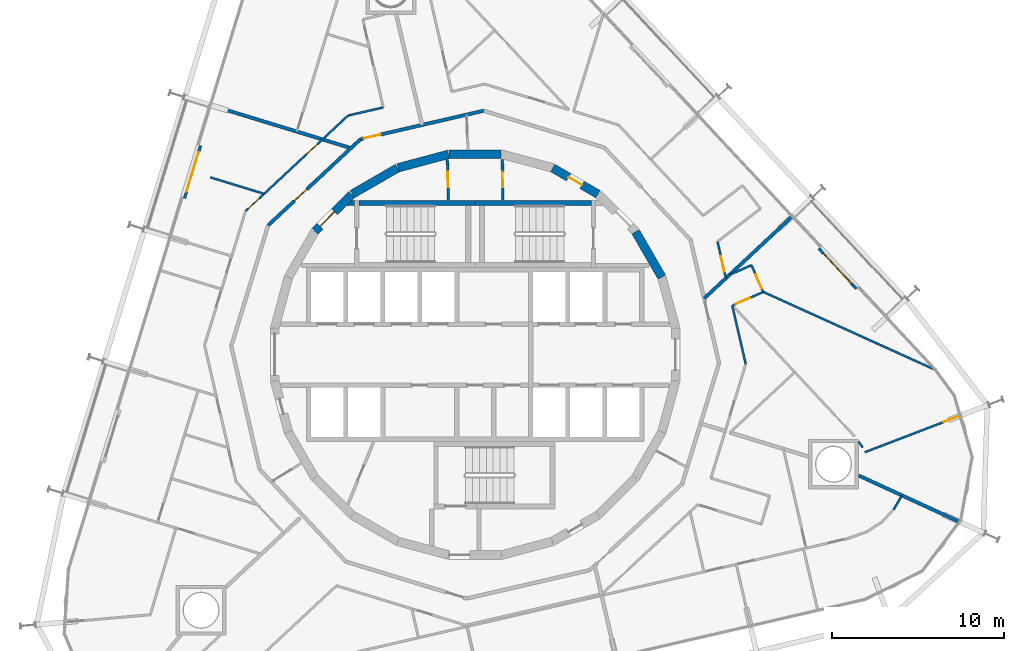
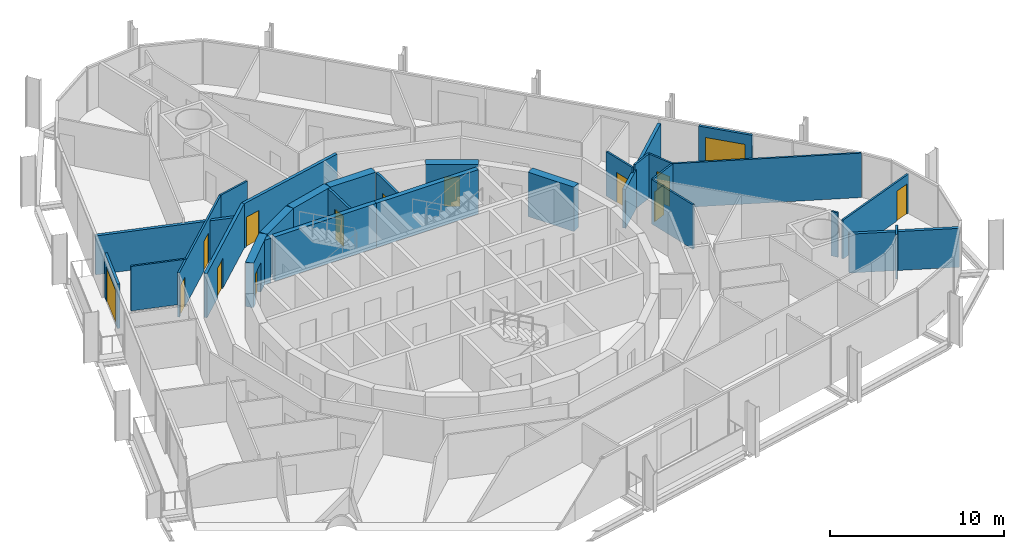
# One storey, part 15 of 18: 30 walls, 14 doors, 14 openings.
"""IFC4 building model written with IfcOpenShell, lengths in metres."""

import ifcopenshell
import ifcopenshell.guid

model = None  # the IFC model being written
_history = None  # IfcOwnerHistory: only IFC2X3 demands one
_inside = {}  # id of a spatial element -> (the spatial element, [elements in it])
_under = {}  # id of a project, library or spatial element -> (it, [spatial elements below it])
_declared = {}  # id of a project -> (the project, [libraries it declares])
_typed = {}  # id of a type object -> (the type object, [elements of that type])
_made_of = {}  # id of a material, layer set ... -> (it, [elements and type objects made of it])


def new_model(schema):
    """Start an empty IFC model of exactly this schema.

    Asked for "IFC4X3", IfcOpenShell would pick the latest addendum, in which some entities
    have other attributes; the version numbers below select the first issue.
    IFC2X3 requires an IfcOwnerHistory on every rooted entity: one is made here for all.
    """
    global model, _history
    if schema == "IFC4X3":
        model = ifcopenshell.file(schema_version=(4, 3, 0, 0))
    else:
        model = ifcopenshell.file(schema=schema)
    _inside.clear()
    _under.clear()
    _declared.clear()
    _typed.clear()
    _made_of.clear()
    _history = None
    if model.schema == "IFC2X3":
        org = make("IfcOrganization", Name="unknown")
        user = make(
            "IfcPersonAndOrganization",
            ThePerson=make("IfcPerson", FamilyName="unknown"),
            TheOrganization=org,
        )
        app = make(
            "IfcApplication",
            ApplicationDeveloper=org,
            Version="unknown",
            ApplicationFullName="unknown",
            ApplicationIdentifier="unknown",
        )
        _history = make(
            "IfcOwnerHistory",
            OwningUser=user,
            OwningApplication=app,
            ChangeAction="ADDED",
            CreationDate=0,
        )
    return model


def make(cls, **values):
    """One entity of the class cls with the attributes given. An attribute that is None is left unset."""
    return model.create_entity(
        cls, **{name: value for name, value in values.items() if value is not None}
    )


def rooted(cls, **values):
    """An entity with a GlobalId (a new one), such as an element, a storey or a relation."""
    return make(cls, GlobalId=ifcopenshell.guid.new(), OwnerHistory=_history, **values)


def si_unit(unit_type, name, prefix=None):
    """IfcSIUnit, for example si_unit("LENGTHUNIT", "METRE", prefix="MILLI")."""
    return make("IfcSIUnit", UnitType=unit_type, Prefix=prefix, Name=name)


def assignment(units):
    """IfcUnitAssignment: the units of a project."""
    return None if units is None else make("IfcUnitAssignment", Units=units)


def point(xyz):
    """IfcCartesianPoint."""
    return None if xyz is None else make("IfcCartesianPoint", Coordinates=xyz)


def direction(xyz):
    """IfcDirection."""
    return None if xyz is None else make("IfcDirection", DirectionRatios=xyz)


def frame(location, z_axis=None, x_axis=None):
    """IfcAxis2Placement3D, a coordinate frame: its origin and axes. An axis left out is left unset."""
    return make(
        "IfcAxis2Placement3D",
        Location=point(location),
        Axis=direction(z_axis),
        RefDirection=direction(x_axis),
    )


def frame_2d(location, x_axis=None):
    """IfcAxis2Placement2D, a coordinate frame in the plane: its origin and x axis."""
    return make(
        "IfcAxis2Placement2D", Location=point(location), RefDirection=direction(x_axis)
    )


def origin():
    """The frame at (0, 0, 0) with its axes left unset."""
    return frame((0.0, 0.0, 0.0))


def place(relative_to, where):
    """IfcLocalPlacement: puts the frame where relative to a parent placement (None: the world)."""
    return make(
        "IfcLocalPlacement", PlacementRelTo=relative_to, RelativePlacement=where
    )


def context(
    kind, dimensions, precision=None, world=None, true_north=None, identifier=None
):
    """IfcGeometricRepresentationContext, for example the 3D "Model" context."""
    return make(
        "IfcGeometricRepresentationContext",
        ContextIdentifier=identifier,
        ContextType=kind,
        CoordinateSpaceDimension=dimensions,
        Precision=precision,
        WorldCoordinateSystem=world,
        TrueNorth=true_north,
    )


def subcontext(parent, identifier, kind, view, scale=None):
    """IfcGeometricRepresentationSubContext, for example "Body" below "Model"."""
    return make(
        "IfcGeometricRepresentationSubContext",
        ContextIdentifier=identifier,
        ContextType=kind,
        ParentContext=parent,
        TargetScale=scale,
        TargetView=view,
    )


def project(units=None, contexts=None):
    """IfcProject with its units and contexts."""
    return rooted(
        "IfcProject",
        Name="project",
        RepresentationContexts=contexts,
        UnitsInContext=assignment(units),
    )


def spatial(cls, under=None, at=None, **own):
    """A site, building, storey or space (cls), placed at a placement, below another one or the project."""
    s = rooted(cls, ObjectPlacement=at, **own)
    if under is not None:
        _under.setdefault(under.id(), (under, []))[1].append(s)
    return s


def polyline(points):
    """IfcPolyline through the points."""
    return make("IfcPolyline", Points=[point(p) for p in points])


def profile(cls, at=None, kind="AREA", **sizes):
    """A parametric profile (cls). Its sizes go by their IFC names, for example OverallWidth=200.0."""
    return make(cls, ProfileType=kind, Position=at, **sizes)


def rectangle(**sizes):
    """IfcRectangleProfileDef."""
    return profile("IfcRectangleProfileDef", **sizes)


def outline(outer, holes=None, kind="AREA"):
    """IfcArbitraryClosedProfileDef: a profile drawn as a closed curve; with holes, ...WithVoids."""
    if holes is None:
        return make("IfcArbitraryClosedProfileDef", ProfileType=kind, OuterCurve=outer)
    return make(
        "IfcArbitraryProfileDefWithVoids",
        ProfileType=kind,
        OuterCurve=outer,
        InnerCurves=holes,
    )


def extrude(swept, where, along, depth):
    """IfcExtrudedAreaSolid: the profile swept, set in the frame where, extruded along a direction by depth."""
    return make(
        "IfcExtrudedAreaSolid",
        SweptArea=swept,
        Position=where,
        ExtrudedDirection=direction(along),
        Depth=depth,
    )


def shape(context_of_items, identifier, shape_type, items):
    """IfcShapeRepresentation: the items that make up one representation, for example the "Body"."""
    return make(
        "IfcShapeRepresentation",
        ContextOfItems=context_of_items,
        RepresentationIdentifier=identifier,
        RepresentationType=shape_type,
        Items=items,
    )


def material(Name=None, Category=None):
    """IfcMaterial."""
    return make("IfcMaterial", Name=Name, Category=Category)


def layer(
    of_material, thickness, ventilated=None, Name=None, Category=None, Priority=None
):
    """IfcMaterialLayer: one layer of a wall or slab, of a material (None: an air gap)."""
    return make(
        "IfcMaterialLayer",
        Material=of_material,
        LayerThickness=thickness,
        IsVentilated=ventilated,
        Name=Name,
        Category=Category,
        Priority=Priority,
    )


def layer_set(layers, Name=None):
    """IfcMaterialLayerSet."""
    return make("IfcMaterialLayerSet", MaterialLayers=layers, LayerSetName=Name)


def made_of(thing, what):
    """Note that an element or type object is made of a material, layer set ...; save() writes the relation."""
    if what is not None:
        _made_of.setdefault(what.id(), (what, []))[1].append(thing)
    return thing


def type_object(cls, material=None, **own):
    """A type object (cls), such as IfcWallType, which elements share."""
    return made_of(rooted(cls, **own), material)


def element(
    cls,
    number,
    at=None,
    inside=None,
    cuts=None,
    type_object=None,
    material=None,
    context=None,
    identifier="Body",
    shape_type=None,
    held_by="IfcProductDefinitionShape",
    body=None,
    shapes=None,
    **own,
):
    """One element of the class cls, such as IfcWall. Its Tag is "e" and its number.

    at: its placement. inside: the storey or other place that contains it. cuts: it is an
    opening in that element (IfcRelVoidsElement). A single representation is given by context,
    identifier, shape_type and body (its items); several are given by shapes. held_by: the class
    of the entity that holds the representations. save() writes the other relations.
    """
    e = rooted(cls, Tag="e%d" % number, ObjectPlacement=at, **own)
    if body is not None:
        shapes = [shape(context, identifier, shape_type, body)]
    if shapes is not None:
        e.Representation = make(held_by, Representations=shapes)
    if inside is not None:
        _inside.setdefault(inside.id(), (inside, []))[1].append(e)
    if cuts is not None:
        rooted(
            "IfcRelVoidsElement", RelatingBuildingElement=cuts, RelatedOpeningElement=e
        )
    if type_object is not None:
        _typed.setdefault(type_object.id(), (type_object, []))[1].append(e)
    return made_of(e, material)


def fill(opening, filler):
    """IfcRelFillsElement: the door or window that sits in an opening."""
    return rooted(
        "IfcRelFillsElement",
        RelatingOpeningElement=opening,
        RelatedBuildingElement=filler,
    )


def aggregate(whole, parts):
    """IfcRelAggregates: a whole, such as a stair, and the parts it consists of."""
    return rooted("IfcRelAggregates", RelatingObject=whole, RelatedObjects=parts)


def save(model, path):
    """Write the relations noted so far, then the file.

    IfcRelAggregates (storeys below a building ...), IfcRelContainedInSpatialStructure (elements
    in a storey), IfcRelDefinesByType, IfcRelAssociatesMaterial and IfcRelDeclares: one each for
    every whole, place, type object, material and project.
    """
    for whole, parts in _under.values():
        aggregate(whole, parts)
    for where, things in _inside.values():
        rooted(
            "IfcRelContainedInSpatialStructure",
            RelatedElements=things,
            RelatingStructure=where,
        )
    for kind, things in _typed.values():
        rooted("IfcRelDefinesByType", RelatedObjects=things, RelatingType=kind)
    for what, things in _made_of.values():
        rooted("IfcRelAssociatesMaterial", RelatedObjects=things, RelatingMaterial=what)
    for by, libraries in _declared.values():
        rooted("IfcRelDeclares", RelatingContext=by, RelatedDefinitions=libraries)
    model.write(path)


model = new_model("IFC4")

# Units and contexts
model_context = context("Model", 3, precision=1e-05, world=origin(), true_north=direction((0.0, 1.0)))
body_context = subcontext(model_context, "Body", "Model", "MODEL_VIEW")
ifc_project = project(units=[si_unit("LENGTHUNIT", "METRE"), si_unit("AREAUNIT", "SQUARE_METRE"), si_unit("VOLUMEUNIT", "CUBIC_METRE"), si_unit("PLANEANGLEUNIT", "RADIAN"), si_unit("MASSUNIT", "GRAM", prefix="KILO")], contexts=[model_context])

# Site, building, storey
site_placement = place(None, origin())
site = spatial("IfcSite", under=ifc_project, at=site_placement, CompositionType="ELEMENT")
building_placement = place(site_placement, origin())
building = spatial("IfcBuilding", under=site, at=building_placement, Name="Spindle Arch Residences", CompositionType="ELEMENT")
storey_placement = place(building_placement, frame((0.0, 0.0, 130.89990234375)))
storey = spatial("IfcBuildingStorey", under=building, at=storey_placement, Name="L32", CompositionType="ELEMENT", Elevation=130.89990234375)

# Wall
ifc_material_1 = material(Name="Concrete C50/60", Category="concrete")
ifc_layer_1 = layer(ifc_material_1, 0.5)
ifc_layer_set_1 = layer_set([ifc_layer_1], Name="Core outline wall 500")
wall_type_1 = type_object("IfcWallType", Name="Core outline wall 500", PredefinedType="SHEAR", material=ifc_layer_set_1)
wall_1_placement = place(storey_placement, frame((10.84521484375, 4.510498046875, 0.0), z_axis=(0.0, 0.0, 1.0), x_axis=(-0.500087131594, 0.865975092491, 0.0)))
element("IfcWall", 1, at=wall_1_placement, inside=storey, type_object=wall_type_1, Name="Core outline wall 8", PredefinedType="SHEAR", context=body_context, shape_type="SweptSolid", body=[
    extrude(rectangle(XDim=3.03271484375, YDim=0.5, at=frame_2d((1.516357421875, 0.0))), origin(), (0.0, 0.0, 1.0), 3.1201171875),
])

# Wall, opening, door
wall_2_placement = place(storey_placement, frame((7.13671875, 9.32861328125, 0.0), z_axis=(0.0, 0.0, 1.0), x_axis=(-0.865975092491, 0.500087131594, 0.0)))
wall_2 = element("IfcWall", 2, at=wall_2_placement, inside=storey, type_object=wall_type_1, Name="Core outline wall 10", PredefinedType="SHEAR", context=body_context, shape_type="SweptSolid", body=[
    extrude(rectangle(XDim=3.03271484375, YDim=0.5, at=frame_2d((1.516357421875, 0.0))), origin(), (0.0, 0.0, 1.0), 3.1201171875),
])
opening_1_placement = place(wall_2_placement, frame((1.06640625, 0.0, 0.0)))
opening_1 = element("IfcOpeningElement", 3, at=opening_1_placement, cuts=wall_2, Name="Opening R3B1-WD11", PredefinedType="OPENING", context=body_context, shape_type="SweptSolid", body=[
    extrude(rectangle(XDim=0.89990234375, YDim=2.10009765625, at=frame_2d((0.449951171875, 1.050048828125))), frame((0.0, 0.260009765625, 0.0), z_axis=(0.0, -1.0, 0.0), x_axis=(1.0, 0.0, 0.0)), (0.0, 0.0, 1.0), 0.52001953125),
])
ifc_material_2 = material(Name="Steel, fire-resisting door", Category="steel")
door_type_1 = type_object("IfcDoorType", Name="Service room door 900x2100", OperationType="SINGLE_SWING_LEFT", PredefinedType="DOOR", material=ifc_material_2)
door_1_placement = place(opening_1_placement, origin())
door_1 = element("IfcDoor", 4, at=door_1_placement, inside=storey, type_object=door_type_1, Name="Service room door R3B1-WD11", OperationType="SINGLE_SWING_RIGHT", OverallHeight=2.10009765625, OverallWidth=0.89990234375, PredefinedType="DOOR", context=body_context, shape_type="SweptSolid", body=[
    extrude(rectangle(XDim=0.89990234375, YDim=2.10009765625, at=frame_2d((0.449951171875, 1.050048828125))), frame((0.0, 0.02490234375, 0.0), z_axis=(0.0, -1.0, 0.0), x_axis=(1.0, 0.0, 0.0)), (0.0, 0.0, 1.0), 0.050048828125),
])
fill(opening_1, door_1)

# Walls
for number, where, z_axis, x_axis, name in (
    (5, (1.516357421875, 11.647216796875, 0.0), (0.0, 0.0, 1.0), (-1.0, 0.0, 0.0), "Core outline wall 12"),
    (6, (-1.5498046875, 11.642822265625, 0.0), (0.0, 0.0, 1.0), (-0.965948410781, -0.258734743916, 0.0), "Core outline wall 13"),
    (7, (-4.510498046875, 10.84521484375, 0.0), (0.0, 0.0, 1.0), (-0.865975092491, -0.500087131594, 0.0), "Core outline wall 14"),
):
    element("IfcWall", number, at=place(storey_placement, frame(where, z_axis=z_axis, x_axis=x_axis)), inside=storey, type_object=wall_type_1, Name=name, PredefinedType="SHEAR", context=body_context, shape_type="SweptSolid", body=[
        extrude(rectangle(XDim=3.03271484375, YDim=0.5, at=frame_2d((1.516357421875, 0.0))), origin(), (0.0, 0.0, 1.0), 3.1201171875),
    ])

# Wall, opening, door
wall_3_placement = place(storey_placement, frame((-7.163818359375, 9.30810546875, 0.0), z_axis=(0.0, 0.0, 1.0), x_axis=(-0.707106781187, -0.707106781187, 0.0)))
wall_3 = element("IfcWall", 8, at=wall_3_placement, inside=storey, type_object=wall_type_1, Name="Core outline wall 15", PredefinedType="SHEAR", context=body_context, shape_type="SweptSolid", body=[
    extrude(rectangle(XDim=3.032470703125, YDim=0.5, at=frame_2d((1.51611328125, 0.0))), origin(), (0.0, 0.0, 1.0), 3.1201171875),
])
opening_2_placement = place(wall_3_placement, frame((1.416259765625, 0.0, 0.0)))
opening_2 = element("IfcOpeningElement", 9, at=opening_2_placement, cuts=wall_3, Name="Opening R3B1-AD02", PredefinedType="OPENING", context=body_context, shape_type="SweptSolid", body=[
    extrude(rectangle(XDim=1.199951171875, YDim=2.10009765625, at=frame_2d((0.60009765625, 1.050048828125))), frame((0.0, 0.260009765625, 0.0), z_axis=(0.0, -1.0, 0.0), x_axis=(1.0, 0.0, 0.0)), (0.0, 0.0, 1.0), 0.52001953125),
])
ifc_material_3 = material(Name="Steel, fire-resisting door", Category="steel")
door_type_2 = type_object("IfcDoorType", Name="Stair airlock door 1200x2100", OperationType="SINGLE_SWING_LEFT", PredefinedType="DOOR", material=ifc_material_3)
door_2_placement = place(opening_2_placement, origin())
door_2 = element("IfcDoor", 10, at=door_2_placement, inside=storey, type_object=door_type_2, Name="Stair airlock door R3B1-AD02", OperationType="SINGLE_SWING_RIGHT", OverallHeight=2.10009765625, OverallWidth=1.199951171875, PredefinedType="DOOR", context=body_context, shape_type="SweptSolid", body=[
    extrude(rectangle(XDim=1.199951171875, YDim=2.10009765625, at=frame_2d((0.60009765625, 1.050048828125))), frame((0.0, 0.02490234375, 0.0), z_axis=(0.0, -1.0, 0.0), x_axis=(1.0, 0.0, 0.0)), (0.0, 0.0, 1.0), 0.050048828125),
])
fill(opening_2, door_2)

ifc_material_4 = material(Name="Calcium silicate block, plastered")
ifc_layer_2 = layer(ifc_material_4, 0.199951171875)
ifc_layer_set_2 = layer_set([ifc_layer_2], Name="Corridor wall 200")
wall_type_2 = type_object("IfcWallType", Name="Corridor wall 200", PredefinedType="STANDARD", material=ifc_layer_set_2)
wall_4_placement = place(storey_placement, frame((0.4951171875, 14.174560546875, 0.0), z_axis=(0.0, 0.0, 1.0), x_axis=(-0.974376622151, -0.224922649383, 0.0)))
wall_4 = element("IfcWall", 11, at=wall_4_placement, inside=storey, type_object=wall_type_2, Name="Corridor wall R3B1-W007", PredefinedType="STANDARD", context=body_context, shape_type="SweptSolid", body=[
    extrude(rectangle(XDim=7.342041015625, YDim=0.199951171875, at=frame_2d((3.6708984375, 0.0))), origin(), (0.0, 0.0, 1.0), 3.1201171875),
])
opening_3_placement = place(wall_4_placement, frame((6.141845703125, 0.0, 0.0)))
opening_3 = element("IfcOpeningElement", 12, at=opening_3_placement, cuts=wall_4, Name="Opening R3B1-FD02", PredefinedType="OPENING", context=body_context, shape_type="SweptSolid", body=[
    extrude(rectangle(XDim=1.0, YDim=2.10009765625, at=frame_2d((0.5, 1.050048828125))), frame((0.0, 0.10986328125, 0.0), z_axis=(0.0, -1.0, 0.0), x_axis=(1.0, 0.0, 0.0)), (0.0, 0.0, 1.0), 0.219970703125),
])
ifc_material_5 = material(Name="Timber, fire-resisting door set", Category="wood")
door_type_3 = type_object("IfcDoorType", Name="Flat entrance door 1000x2100", OperationType="NOTDEFINED", PredefinedType="DOOR", material=ifc_material_5)
door_3_placement = place(opening_3_placement, origin())
door_3 = element("IfcDoor", 13, at=door_3_placement, inside=storey, type_object=door_type_3, Name="Flat entrance door R3B1-FD02", OperationType="SINGLE_SWING_LEFT", OverallHeight=2.10009765625, OverallWidth=1.0, PredefinedType="DOOR", context=body_context, shape_type="SweptSolid", body=[
    extrude(rectangle(XDim=1.0, YDim=2.10009765625, at=frame_2d((0.5, 1.050048828125))), frame((0.0, 0.02490234375, 0.0), z_axis=(0.0, -1.0, 0.0), x_axis=(1.0, 0.0, 0.0)), (0.0, 0.0, 1.0), 0.050048828125),
])
fill(opening_3, door_3)

wall_5_placement = place(storey_placement, frame((-6.65869140625, 12.523193359375, 0.0), z_axis=(0.0, 0.0, 1.0), x_axis=(-0.731350455479, -0.682001841105, 0.0)))
wall_5 = element("IfcWall", 14, at=wall_5_placement, inside=storey, type_object=wall_type_2, Name="Corridor wall R3B1-W009", PredefinedType="STANDARD", context=body_context, shape_type="SweptSolid", body=[
    extrude(rectangle(XDim=7.341796875, YDim=0.199951171875, at=frame_2d((3.6708984375, 0.0))), origin(), (0.0, 0.0, 1.0), 3.1201171875),
])
opening_4_placement = place(wall_5_placement, frame((4.26416015625, 0.0, 0.0)))
opening_4 = element("IfcOpeningElement", 15, at=opening_4_placement, cuts=wall_5, Name="Opening R3B1-FD03", PredefinedType="OPENING", context=body_context, shape_type="SweptSolid", body=[
    extrude(rectangle(XDim=1.0, YDim=2.10009765625, at=frame_2d((0.5, 1.050048828125))), frame((0.0, 0.10986328125, 0.0), z_axis=(0.0, -1.0, 0.0), x_axis=(1.0, 0.0, 0.0)), (0.0, 0.0, 1.0), 0.219970703125),
])
door_4_placement = place(opening_4_placement, origin())
door_4 = element("IfcDoor", 16, at=door_4_placement, inside=storey, type_object=door_type_3, Name="Flat entrance door R3B1-FD03", OperationType="SINGLE_SWING_LEFT", OverallHeight=2.10009765625, OverallWidth=1.0, PredefinedType="DOOR", context=body_context, shape_type="SweptSolid", body=[
    extrude(rectangle(XDim=1.0, YDim=2.10009765625, at=frame_2d((0.5, 1.050048828125))), frame((0.0, 0.02490234375, 0.0), z_axis=(0.0, -1.0, 0.0), x_axis=(1.0, 0.0, 0.0)), (0.0, 0.0, 1.0), 0.050048828125),
])
fill(opening_4, door_4)

ifc_material_6 = material(Name="Plasterboard on steel studs", Category="steel")
ifc_layer_3 = layer(ifc_material_6, 0.1201171875)
ifc_layer_set_3 = layer_set([ifc_layer_3], Name="Flat partition 120")
wall_type_3 = type_object("IfcWallType", Name="Flat partition 120", PredefinedType="PARTITIONING", material=ifc_layer_set_3)
wall_6_placement = place(storey_placement, frame((14.5732421875, 4.447021484375, 0.0), z_axis=(0.0, 0.0, 1.0), x_axis=(-0.225006886074, 0.97435717333, 0.0)))
wall_6 = element("IfcWall", 17, at=wall_6_placement, inside=storey, type_object=wall_type_3, Name="Flat partition R3B1-W027", PredefinedType="PARTITIONING", context=body_context, shape_type="SweptSolid", body=[
    extrude(rectangle(XDim=2.177734375, YDim=0.1201171875, at=frame_2d((1.0888671875, 0.0))), origin(), (0.0, 0.0, 1.0), 3.1201171875),
])
opening_5_placement = place(wall_6_placement, frame((0.39990234375, 0.0, 0.0)))
opening_5 = element("IfcOpeningElement", 18, at=opening_5_placement, cuts=wall_6, Name="Opening R3B1-ID01", PredefinedType="OPENING", context=body_context, shape_type="SweptSolid", body=[
    extrude(rectangle(XDim=0.89990234375, YDim=2.10009765625, at=frame_2d((0.449951171875, 1.050048828125))), frame((0.0, 0.070068359375, 0.0), z_axis=(0.0, -1.0, 0.0), x_axis=(1.0, 0.0, 0.0)), (0.0, 0.0, 1.0), 0.14013671875),
])
ifc_material_7 = material(Name="Timber door set", Category="wood")
door_type_4 = type_object("IfcDoorType", Name="Room door 900x2100", OperationType="NOTDEFINED", PredefinedType="DOOR", material=ifc_material_7)
door_5_placement = place(opening_5_placement, origin())
door_5 = element("IfcDoor", 19, at=door_5_placement, inside=storey, type_object=door_type_4, Name="Room door R3B1-ID01", OperationType="SINGLE_SWING_LEFT", OverallHeight=2.10009765625, OverallWidth=0.89990234375, PredefinedType="DOOR", context=body_context, shape_type="SweptSolid", body=[
    extrude(rectangle(XDim=0.89990234375, YDim=2.10009765625, at=frame_2d((0.449951171875, 1.050048828125))), frame((0.0, 0.02490234375, 0.0), z_axis=(0.0, -1.0, 0.0), x_axis=(1.0, 0.0, 0.0)), (0.0, 0.0, 1.0), 0.050048828125),
])
fill(opening_5, door_5)

# Wall
wall_7_placement = place(storey_placement, frame((-5.341552734375, 14.36669921875, 0.0), z_axis=(0.0, 0.0, 1.0), x_axis=(-0.974367677287, -0.224961395484, 0.0)))
element("IfcWall", 20, at=wall_7_placement, inside=storey, type_object=wall_type_3, Name="Flat partition R3B1-W049", PredefinedType="PARTITIONING", context=body_context, shape_type="SweptSolid", body=[
    extrude(rectangle(XDim=2.099853515625, YDim=0.1201171875, at=frame_2d((1.0498046875, 0.0))), origin(), (0.0, 0.0, 1.0), 3.1201171875),
])

# Wall, openings, doors
wall_8_placement = place(storey_placement, frame((-7.3876953125, 13.894287109375, 0.0), z_axis=(0.0, 0.0, 1.0), x_axis=(-0.731357186721, -0.681994622729, 0.0)))
wall_8 = element("IfcWall", 21, at=wall_8_placement, inside=storey, type_object=wall_type_3, Name="Flat partition R3B1-W050", PredefinedType="PARTITIONING", context=body_context, shape_type="SweptSolid", body=[
    extrude(rectangle(XDim=8.145751953125, YDim=0.1201171875, at=frame_2d((4.07275390625, 0.0))), origin(), (0.0, 0.0, 1.0), 3.1201171875),
])
opening_6_placement = place(wall_8_placement, frame((2.431884765625, 0.0, 0.0)))
opening_6 = element("IfcOpeningElement", 22, at=opening_6_placement, cuts=wall_8, Name="Opening R3B1-ID11", PredefinedType="OPENING", context=body_context, shape_type="SweptSolid", body=[
    extrude(rectangle(XDim=0.89990234375, YDim=2.10009765625, at=frame_2d((0.449951171875, 1.050048828125))), frame((0.0, 0.070068359375, 0.0), z_axis=(0.0, -1.0, 0.0), x_axis=(1.0, 0.0, 0.0)), (0.0, 0.0, 1.0), 0.14013671875),
])
opening_7_placement = place(wall_8_placement, frame((7.045654296875, 0.0, 0.0)))
opening_7 = element("IfcOpeningElement", 23, at=opening_7_placement, cuts=wall_8, Name="Opening R3B1-ID12", PredefinedType="OPENING", context=body_context, shape_type="SweptSolid", body=[
    extrude(rectangle(XDim=0.89990234375, YDim=2.10009765625, at=frame_2d((0.449951171875, 1.050048828125))), frame((0.0, 0.070068359375, 0.0), z_axis=(0.0, -1.0, 0.0), x_axis=(1.0, 0.0, 0.0)), (0.0, 0.0, 1.0), 0.14013671875),
])
door_6_placement = place(opening_6_placement, origin())
door_6 = element("IfcDoor", 24, at=door_6_placement, inside=storey, type_object=door_type_4, Name="Room door R3B1-ID11", OperationType="SINGLE_SWING_LEFT", OverallHeight=2.10009765625, OverallWidth=0.89990234375, PredefinedType="DOOR", context=body_context, shape_type="SweptSolid", body=[
    extrude(rectangle(XDim=0.89990234375, YDim=2.10009765625, at=frame_2d((0.449951171875, 1.050048828125))), frame((0.0, 0.02490234375, 0.0), z_axis=(0.0, -1.0, 0.0), x_axis=(1.0, 0.0, 0.0)), (0.0, 0.0, 1.0), 0.050048828125),
])
fill(opening_6, door_6)
door_7_placement = place(opening_7_placement, origin())
door_7 = element("IfcDoor", 25, at=door_7_placement, inside=storey, type_object=door_type_4, Name="Room door R3B1-ID12", OperationType="SINGLE_SWING_LEFT", OverallHeight=2.10009765625, OverallWidth=0.89990234375, PredefinedType="DOOR", context=body_context, shape_type="SweptSolid", body=[
    extrude(rectangle(XDim=0.89990234375, YDim=2.10009765625, at=frame_2d((0.449951171875, 1.050048828125))), frame((0.0, 0.02490234375, 0.0), z_axis=(0.0, -1.0, 0.0), x_axis=(1.0, 0.0, 0.0)), (0.0, 0.0, 1.0), 0.050048828125),
])
fill(opening_7, door_7)

# Walls
wall_9_placement = place(storey_placement, frame((-15.381591796875, 10.300048828125, 0.0), z_axis=(0.0, 0.0, 1.0), x_axis=(0.956302139964, -0.292380261134, 0.0)))
element("IfcWall", 26, at=wall_9_placement, inside=storey, type_object=wall_type_3, Name="Flat partition R3B1-W062", PredefinedType="PARTITIONING", context=body_context, shape_type="SweptSolid", body=[
    extrude(rectangle(XDim=3.259765625, YDim=0.1201171875, at=frame_2d((1.6298828125, 0.0))), origin(), (0.0, 0.0, 1.0), 3.1201171875),
])
wall_10_placement = place(storey_placement, frame((24.8017578125, -8.18603515625, 0.0), z_axis=(0.0, 0.0, 1.0), x_axis=(-0.505043103481, -0.863094122113, 0.0)))
element("IfcWall", 27, at=wall_10_placement, inside=storey, type_object=wall_type_3, Name="Flat partition R3B1-W094", PredefinedType="PARTITIONING", context=body_context, shape_type="SweptSolid", body=[
    extrude(rectangle(XDim=0.945068359375, YDim=0.1201171875, at=frame_2d((0.47265625, 0.0))), origin(), (0.0, 0.0, 1.0), 3.1201171875),
])

# Wall, opening, door
wall_11_placement = place(storey_placement, frame((16.74658203125, 3.64501953125, 0.0), z_axis=(0.0, 0.0, 1.0), x_axis=(-0.40401852801, 0.914750801598, 0.0)))
wall_11 = element("IfcWall", 28, at=wall_11_placement, inside=storey, type_object=wall_type_3, Name="Flat partition R3B1-W099", PredefinedType="PARTITIONING", context=body_context, shape_type="SweptSolid", body=[
    extrude(rectangle(XDim=1.699951171875, YDim=0.1201171875, at=frame_2d((0.85009765625, 0.0))), origin(), (0.0, 0.0, 1.0), 3.1201171875),
])
opening_8_placement = place(wall_11_placement, frame((0.199951171875, 0.0, 0.0)))
opening_8 = element("IfcOpeningElement", 29, at=opening_8_placement, cuts=wall_11, Name="Opening R3B1-ID29", PredefinedType="OPENING", context=body_context, shape_type="SweptSolid", body=[
    extrude(rectangle(XDim=0.89990234375, YDim=2.10009765625, at=frame_2d((0.449951171875, 1.050048828125))), frame((0.0, 0.070068359375, 0.0), z_axis=(0.0, -1.0, 0.0), x_axis=(1.0, 0.0, 0.0)), (0.0, 0.0, 1.0), 0.14013671875),
])
door_8_placement = place(opening_8_placement, origin())
door_8 = element("IfcDoor", 30, at=door_8_placement, inside=storey, type_object=door_type_4, Name="Room door R3B1-ID29", OperationType="SINGLE_SWING_LEFT", OverallHeight=2.10009765625, OverallWidth=0.89990234375, PredefinedType="DOOR", context=body_context, shape_type="SweptSolid", body=[
    extrude(rectangle(XDim=0.89990234375, YDim=2.10009765625, at=frame_2d((0.449951171875, 1.050048828125))), frame((0.0, 0.02490234375, 0.0), z_axis=(0.0, -1.0, 0.0), x_axis=(1.0, 0.0, 0.0)), (0.0, 0.0, 1.0), 0.050048828125),
])
fill(opening_8, door_8)

# Walls
wall_12_placement = place(storey_placement, frame((16.059814453125, 5.199951171875, 0.0), z_axis=(0.0, 0.0, 1.0), x_axis=(-0.91479626238, -0.403915583179, 0.0)))
element("IfcWall", 31, at=wall_12_placement, inside=storey, type_object=wall_type_3, Name="Flat partition R3B1-W100", PredefinedType="PARTITIONING", context=body_context, shape_type="SweptSolid", body=[
    extrude(rectangle(XDim=1.396728515625, YDim=0.1201171875, at=frame_2d((0.6982421875, 0.0))), origin(), (0.0, 0.0, 1.0), 3.1201171875),
])
wall_13_placement = place(storey_placement, frame((15.7265625, -0.54931640625, 0.0), z_axis=(0.0, 0.0, 1.0), x_axis=(-0.224900416367, 0.974381754097, 0.0)))
element("IfcWall", 32, at=wall_13_placement, inside=storey, type_object=wall_type_3, Name="Flat partition R3B1-W101", PredefinedType="PARTITIONING", context=body_context, shape_type="SweptSolid", body=[
    extrude(rectangle(XDim=3.48681640625, YDim=0.1201171875, at=frame_2d((1.743408203125, 0.0))), origin(), (0.0, 0.0, 1.0), 3.1201171875),
])

# Wall, opening, door
wall_14_placement = place(storey_placement, frame((14.9619140625, 2.856689453125, 0.0), z_axis=(0.0, 0.0, 1.0), x_axis=(0.914732858216, 0.404059151734, 0.0)))
wall_14 = element("IfcWall", 33, at=wall_14_placement, inside=storey, type_object=wall_type_3, Name="Flat partition R3B1-W102", PredefinedType="PARTITIONING", context=body_context, shape_type="SweptSolid", body=[
    extrude(rectangle(XDim=1.950927734375, YDim=0.1201171875, at=frame_2d((0.9755859375, 0.0))), origin(), (0.0, 0.0, 1.0), 3.1201171875),
])
opening_9_placement = place(wall_14_placement, frame((0.199951171875, 0.0, 0.0)))
opening_9 = element("IfcOpeningElement", 34, at=opening_9_placement, cuts=wall_14, Name="Opening R3B1-ID30", PredefinedType="OPENING", context=body_context, shape_type="SweptSolid", body=[
    extrude(rectangle(XDim=0.89990234375, YDim=2.10009765625, at=frame_2d((0.449951171875, 1.050048828125))), frame((0.0, 0.070068359375, 0.0), z_axis=(0.0, -1.0, 0.0), x_axis=(1.0, 0.0, 0.0)), (0.0, 0.0, 1.0), 0.14013671875),
])
door_9_placement = place(opening_9_placement, origin())
door_9 = element("IfcDoor", 35, at=door_9_placement, inside=storey, type_object=door_type_4, Name="Room door R3B1-ID30", OperationType="SINGLE_SWING_RIGHT", OverallHeight=2.10009765625, OverallWidth=0.89990234375, PredefinedType="DOOR", context=body_context, shape_type="SweptSolid", body=[
    extrude(rectangle(XDim=0.89990234375, YDim=2.10009765625, at=frame_2d((0.449951171875, 1.050048828125))), frame((0.0, 0.02490234375, 0.0), z_axis=(0.0, -1.0, 0.0), x_axis=(1.0, 0.0, 0.0)), (0.0, 0.0, 1.0), 0.050048828125),
])
fill(opening_9, door_9)

# Walls
wall_15_placement = place(storey_placement, frame((16.74658203125, 3.64501953125, 0.0), z_axis=(0.0, 0.0, 1.0), x_axis=(0.910796273175, -0.412856087238, 0.0)))
element("IfcWall", 36, at=wall_15_placement, inside=storey, type_object=wall_type_3, Name="Flat partition R3B1-W103", PredefinedType="PARTITIONING", context=body_context, shape_type="SweptSolid", body=[
    extrude(rectangle(XDim=10.90087890625, YDim=0.1201171875, at=frame_2d((5.450439453125, 0.0))), origin(), (0.0, 0.0, 1.0), 3.1201171875),
])
wall_16_placement = place(storey_placement, frame((22.532470703125, -5.398681640625, 0.0), z_axis=(0.0, 0.0, 1.0), x_axis=(-0.592456078431, 0.805602752683, 0.0)))
element("IfcWall", 37, at=wall_16_placement, inside=storey, type_object=wall_type_3, Name="Flat partition R3B1-W105", PredefinedType="PARTITIONING", context=body_context, shape_type="SweptSolid", body=[
    extrude(rectangle(XDim=0.426025390625, YDim=0.1201171875, at=frame_2d((0.212890625, 0.0))), origin(), (0.0, 0.0, 1.0), 3.1201171875),
])

# Wall, opening, door
ifc_material_8 = material(Name="Plasterboard on steel studs", Category="steel")
ifc_layer_4 = layer(ifc_material_8, 0.1201171875)
ifc_layer_set_4 = layer_set([ifc_layer_4], Name="Flat partition 120 under beam 2730")
wall_type_4 = type_object("IfcWallType", Name="Flat partition 120 under beam 2730", PredefinedType="PARTITIONING", material=ifc_layer_set_4)
wall_17_placement = place(storey_placement, frame((28.2548828125, -3.524658203125, 0.0), z_axis=(0.0, 0.0, 1.0), x_axis=(-0.933839412031, -0.357692539114, 0.0)))
wall_17 = element("IfcWall", 38, at=wall_17_placement, inside=storey, type_object=wall_type_4, Name="Flat partition R3B1-W104", PredefinedType="PARTITIONING", context=body_context, shape_type="SweptSolid", body=[
    extrude(rectangle(XDim=6.003662109375, YDim=0.1201171875, at=frame_2d((3.001953125, 0.0))), origin(), (0.0, 0.0, 1.0), 2.72998046875),
])
opening_10_placement = place(wall_17_placement, frame((0.199951171875, 0.0, 0.0)))
opening_10 = element("IfcOpeningElement", 39, at=opening_10_placement, cuts=wall_17, Name="Opening R3B1-ID31", PredefinedType="OPENING", context=body_context, shape_type="SweptSolid", body=[
    extrude(rectangle(XDim=0.89990234375, YDim=2.10009765625, at=frame_2d((0.449951171875, 1.050048828125))), frame((0.0, 0.070068359375, 0.0), z_axis=(0.0, -1.0, 0.0), x_axis=(1.0, 0.0, 0.0)), (0.0, 0.0, 1.0), 0.14013671875),
])
door_10_placement = place(opening_10_placement, origin())
door_10 = element("IfcDoor", 40, at=door_10_placement, inside=storey, type_object=door_type_4, Name="Room door R3B1-ID31", OperationType="SINGLE_SWING_LEFT", OverallHeight=2.10009765625, OverallWidth=0.89990234375, PredefinedType="DOOR", context=body_context, shape_type="SweptSolid", body=[
    extrude(rectangle(XDim=0.89990234375, YDim=2.10009765625, at=frame_2d((0.449951171875, 1.050048828125))), frame((0.0, 0.02490234375, 0.0), z_axis=(0.0, -1.0, 0.0), x_axis=(1.0, 0.0, 0.0)), (0.0, 0.0, 1.0), 0.050048828125),
])
fill(opening_10, door_10)

# Walls
ifc_material_9 = material(Name="Calcium silicate block, plastered")
ifc_layer_5 = layer(ifc_material_9, 0.199951171875)
ifc_layer_set_5 = layer_set([ifc_layer_5], Name="Flat party wall 200 under beam 2730")
wall_type_5 = type_object("IfcWallType", Name="Flat party wall 200 under beam 2730", PredefinedType="STANDARD", material=ifc_layer_set_5)
wall_18_placement = place(storey_placement, frame((13.3076171875, 3.2607421875, 0.0), z_axis=(0.0, 0.0, 1.0), x_axis=(0.731356087831, 0.681995801154, 0.0)))
element("IfcWall", 41, at=wall_18_placement, inside=storey, type_object=wall_type_5, Name="Flat party wall R3B1-W018", PredefinedType="STANDARD", context=body_context, shape_type="SweptSolid", body=[
    extrude(rectangle(XDim=6.934326171875, YDim=0.199951171875, at=frame_2d((3.46728515625, 0.0))), origin(), (0.0, 0.0, 1.0), 2.72998046875),
])
wall_19_placement = place(storey_placement, frame((-15.32666015625, 14.481201171875, 0.0), z_axis=(0.0, 0.0, 1.0), x_axis=(0.956303504869, -0.292375796837, 0.0)))
element("IfcWall", 42, at=wall_19_placement, inside=storey, type_object=wall_type_5, Name="Flat party wall R3B1-W019", PredefinedType="STANDARD", context=body_context, shape_type="SweptSolid", body=[
    extrude(rectangle(XDim=8.479736328125, YDim=0.199951171875, at=frame_2d((4.23974609375, 0.0))), origin(), (0.0, 0.0, 1.0), 2.72998046875),
])
wall_20_placement = place(storey_placement, frame((28.091796875, -9.691650390625, 0.0), z_axis=(0.0, 0.0, 1.0), x_axis=(-0.908656456134, 0.417544542206, 0.0)))
element("IfcWall", 43, at=wall_20_placement, inside=storey, type_object=wall_type_5, Name="Flat party wall R3B1-W026", PredefinedType="STANDARD", context=body_context, shape_type="SweptSolid", body=[
    extrude(rectangle(XDim=6.385009765625, YDim=0.199951171875, at=frame_2d((3.1923828125, 0.0))), origin(), (0.0, 0.0, 1.0), 2.72998046875),
])

# Wall, opening, door
ifc_material_10 = material(Name="Non-combustible mineral wool insulated aluminium faced external wall (K0)", Category="aluminium")
ifc_layer_6 = layer(ifc_material_10, 0.159912109375)
ifc_layer_set_6 = layer_set([ifc_layer_6], Name="Insulated external wall panel 160")
wall_type_6 = type_object("IfcWallType", Name="Insulated external wall panel 160", PredefinedType="STANDARD", material=ifc_layer_set_6)
wall_21_placement = place(storey_placement, frame((22.14990234375, 3.829345703125, 0.0), z_axis=(0.0, 0.0, 1.0), x_axis=(-0.682035508355, 0.731319058512, 0.0)))
wall_21 = element("IfcWall", 44, at=wall_21_placement, inside=storey, type_object=wall_type_6, Name="External wall L32 bay 6", PredefinedType="STANDARD", context=body_context, shape_type="SweptSolid", body=[
    extrude(rectangle(XDim=3.2001953125, YDim=0.159912109375, at=frame_2d((1.60009765625, 0.0))), origin(), (0.0, 0.0, 1.0), 3.1201171875),
])
opening_11_placement = place(wall_21_placement, frame((0.39990234375, 0.0, 0.0)))
opening_11 = element("IfcOpeningElement", 45, at=opening_11_placement, cuts=wall_21, Name="Opening BD06", PredefinedType="OPENING", context=body_context, shape_type="SweptSolid", body=[
    extrude(rectangle(XDim=2.39990234375, YDim=2.39990234375, at=frame_2d((1.199951171875, 1.199951171875))), frame((0.0, 0.08984375, 0.0), z_axis=(0.0, -1.0, 0.0), x_axis=(1.0, 0.0, 0.0)), (0.0, 0.0, 1.0), 0.179931640625),
])
ifc_material_11 = material(Name="Bronze aluminium frame, tinted double glazing", Category="aluminium")
door_type_5 = type_object("IfcDoorType", Name="Sliding glazed balcony door 2400x2400", OperationType="DOUBLE_DOOR_SLIDING", PredefinedType="DOOR", material=ifc_material_11)
door_11_placement = place(opening_11_placement, origin())
door_11 = element("IfcDoor", 46, at=door_11_placement, inside=storey, type_object=door_type_5, Name="Balcony door BD06", OperationType="DOUBLE_DOOR_SLIDING", OverallHeight=2.39990234375, OverallWidth=2.39990234375, PredefinedType="DOOR", context=body_context, shape_type="SweptSolid", body=[
    extrude(rectangle(XDim=2.39990234375, YDim=2.39990234375, at=frame_2d((1.199951171875, 1.199951171875))), frame((0.0, 0.02490234375, 0.0), z_axis=(0.0, -1.0, 0.0), x_axis=(1.0, 0.0, 0.0)), (0.0, 0.0, 1.0), 0.050048828125),
])
fill(opening_11, door_11)

wall_22_placement = place(storey_placement, frame((-15.9560546875, 12.148681640625, 0.0), z_axis=(0.0, 0.0, 1.0), x_axis=(-0.29243949851, -0.956284026695, 0.0)))
wall_22 = element("IfcWall", 47, at=wall_22_placement, inside=storey, type_object=wall_type_6, Name="External wall L32 bay 14", PredefinedType="STANDARD", context=body_context, shape_type="SweptSolid", body=[
    extrude(rectangle(XDim=3.199951171875, YDim=0.159912109375, at=frame_2d((1.60009765625, 0.0))), origin(), (0.0, 0.0, 1.0), 3.1201171875),
])
opening_12_placement = place(wall_22_placement, frame((0.39990234375, 0.0, 0.0)))
opening_12 = element("IfcOpeningElement", 48, at=opening_12_placement, cuts=wall_22, Name="Opening BD14", PredefinedType="OPENING", context=body_context, shape_type="SweptSolid", body=[
    extrude(rectangle(XDim=2.39990234375, YDim=2.39990234375, at=frame_2d((1.199951171875, 1.199951171875))), frame((0.0, 0.08984375, 0.0), z_axis=(0.0, -1.0, 0.0), x_axis=(1.0, 0.0, 0.0)), (0.0, 0.0, 1.0), 0.179931640625),
])
door_12_placement = place(opening_12_placement, origin())
door_12 = element("IfcDoor", 49, at=door_12_placement, inside=storey, type_object=door_type_5, Name="Balcony door BD14", OperationType="DOUBLE_DOOR_SLIDING", OverallHeight=2.39990234375, OverallWidth=2.39990234375, PredefinedType="DOOR", context=body_context, shape_type="SweptSolid", body=[
    extrude(rectangle(XDim=2.39990234375, YDim=2.39990234375, at=frame_2d((1.199951171875, 1.199951171875))), frame((0.0, 0.02490234375, 0.0), z_axis=(0.0, -1.0, 0.0), x_axis=(1.0, 0.0, 0.0)), (0.0, 0.0, 1.0), 0.050048828125),
])
fill(opening_12, door_12)

ifc_material_12 = material(Name="Concrete C25/30", Category="concrete")
ifc_layer_7 = layer(ifc_material_12, 0.14990234375)
ifc_layer_set_7 = layer_set([ifc_layer_7], Name="Service room partition 150")
wall_type_7 = type_object("IfcWallType", Name="Service room partition 150", PredefinedType="PARTITIONING", material=ifc_layer_set_7)
wall_23_placement = place(storey_placement, frame((1.585693359375, 11.3544921875, 0.0), z_axis=(0.0, 0.0, 1.0), x_axis=(0.007227482881, -0.999973881405, 0.0)))
wall_23 = element("IfcWall", 50, at=wall_23_placement, inside=storey, type_object=wall_type_7, Name="Core service room partition", PredefinedType="PARTITIONING", context=body_context, shape_type="SweptSolid", body=[
    extrude(rectangle(XDim=2.364501953125, YDim=0.14990234375, at=frame_2d((1.18212890625, 0.0))), origin(), (0.0, 0.0, 1.0), 3.1201171875),
])
opening_13_placement = place(wall_23_placement, frame((0.732177734375, 0.0, 0.0)))
opening_13 = element("IfcOpeningElement", 51, at=opening_13_placement, cuts=wall_23, Name="Opening R3B1-WD07", PredefinedType="OPENING", context=body_context, shape_type="SweptSolid", body=[
    extrude(rectangle(XDim=0.89990234375, YDim=2.10009765625, at=frame_2d((0.449951171875, 1.050048828125))), frame((0.0, 0.0849609375, 0.0), z_axis=(0.0, -1.0, 0.0), x_axis=(1.0, 0.0, 0.0)), (0.0, 0.0, 1.0), 0.169921875),
])
door_13_placement = place(opening_13_placement, origin())
door_13 = element("IfcDoor", 52, at=door_13_placement, inside=storey, type_object=door_type_1, Name="Service room door R3B1-WD07", OperationType="SINGLE_SWING_RIGHT", OverallHeight=2.10009765625, OverallWidth=0.89990234375, PredefinedType="DOOR", context=body_context, shape_type="SweptSolid", body=[
    extrude(rectangle(XDim=0.89990234375, YDim=2.10009765625, at=frame_2d((0.449951171875, 1.050048828125))), frame((0.0, 0.02490234375, 0.0), z_axis=(0.0, -1.0, 0.0), x_axis=(1.0, 0.0, 0.0)), (0.0, 0.0, 1.0), 0.050048828125),
])
fill(opening_13, door_13)

wall_24_placement = place(storey_placement, frame((-1.555419921875, 8.989990234375, 0.0), z_axis=(0.0, 0.0, 1.0), x_axis=(-0.024125549686, 0.999708936567, 0.0)))
wall_24 = element("IfcWall", 53, at=wall_24_placement, inside=storey, type_object=wall_type_7, Name="Core service room partition", PredefinedType="PARTITIONING", context=body_context, shape_type="SweptSolid", body=[
    extrude(rectangle(XDim=2.35791015625, YDim=0.14990234375, at=frame_2d((1.178955078125, 0.0))), origin(), (0.0, 0.0, 1.0), 3.1201171875),
])
opening_14_placement = place(wall_24_placement, frame((0.72900390625, 0.0, 0.0)))
opening_14 = element("IfcOpeningElement", 54, at=opening_14_placement, cuts=wall_24, Name="Opening R3B1-WD08", PredefinedType="OPENING", context=body_context, shape_type="SweptSolid", body=[
    extrude(rectangle(XDim=0.89990234375, YDim=2.10009765625, at=frame_2d((0.449951171875, 1.050048828125))), frame((0.0, 0.0849609375, 0.0), z_axis=(0.0, -1.0, 0.0), x_axis=(1.0, 0.0, 0.0)), (0.0, 0.0, 1.0), 0.169921875),
])
door_14_placement = place(opening_14_placement, origin())
door_14 = element("IfcDoor", 55, at=door_14_placement, inside=storey, type_object=door_type_1, Name="Service room door R3B1-WD08", OperationType="SINGLE_SWING_LEFT", OverallHeight=2.10009765625, OverallWidth=0.89990234375, PredefinedType="DOOR", context=body_context, shape_type="SweptSolid", body=[
    extrude(rectangle(XDim=0.89990234375, YDim=2.10009765625, at=frame_2d((0.449951171875, 1.050048828125))), frame((0.0, 0.02490234375, 0.0), z_axis=(0.0, -1.0, 0.0), x_axis=(1.0, 0.0, 0.0)), (0.0, 0.0, 1.0), 0.050048828125),
])
fill(opening_14, door_14)

# Walls
ifc_material_13 = material(Name="Concrete C40/50", Category="concrete")
wall_type_8 = type_object("IfcWallType", Name="Stair airlock wall profile", PredefinedType="SHEAR", material=ifc_material_13)
wall_25_placement = place(storey_placement, origin())
element("IfcWall", 56, at=wall_25_placement, inside=storey, type_object=wall_type_8, Name="Stair ST-2 airlock wall N", PredefinedType="SHEAR", context=body_context, shape_type="SweptSolid", body=[
    extrude(outline(polyline([(-7.148193359375, 8.969970703125), (-7.0, 8.969970703125), (-7.0, 8.669921875), (-7.4482421875, 8.669921875), (-7.148193359375, 8.969970703125)])), origin(), (0.0, 0.0, 1.0), 3.1201171875),
])
ifc_material_14 = material(Name="Concrete C50/60", Category="concrete")
ifc_layer_8 = layer(ifc_material_14, 0.300048828125)
ifc_layer_set_8 = layer_set([ifc_layer_8], Name="Stair enclosure wall 300")
wall_type_9 = type_object("IfcWallType", Name="Stair enclosure wall 300", PredefinedType="SHEAR", material=ifc_layer_set_8)
for number, where, z_axis, x_axis, name in (
    (57, (0.0, 8.820068359375, 0.0), (0.0, 0.0, 1.0), (1.0, 0.0, 0.0), "Stair ST-1 enclosure wall N"),
    (58, (-6.75, 8.820068359375, 0.0), (0.0, 0.0, 1.0), (1.0, 0.0, 0.0), "Stair ST-2 enclosure wall N"),
):
    element("IfcWall", number, at=place(storey_placement, frame(where, z_axis=z_axis, x_axis=x_axis)), inside=storey, type_object=wall_type_9, Name=name, PredefinedType="SHEAR", context=body_context, shape_type="SweptSolid", body=[
        extrude(rectangle(XDim=6.75, YDim=0.300048828125, at=frame_2d((3.375, 0.0))), origin(), (0.0, 0.0, 1.0), 3.1201171875),
    ])

save(model, "model.ifc")
